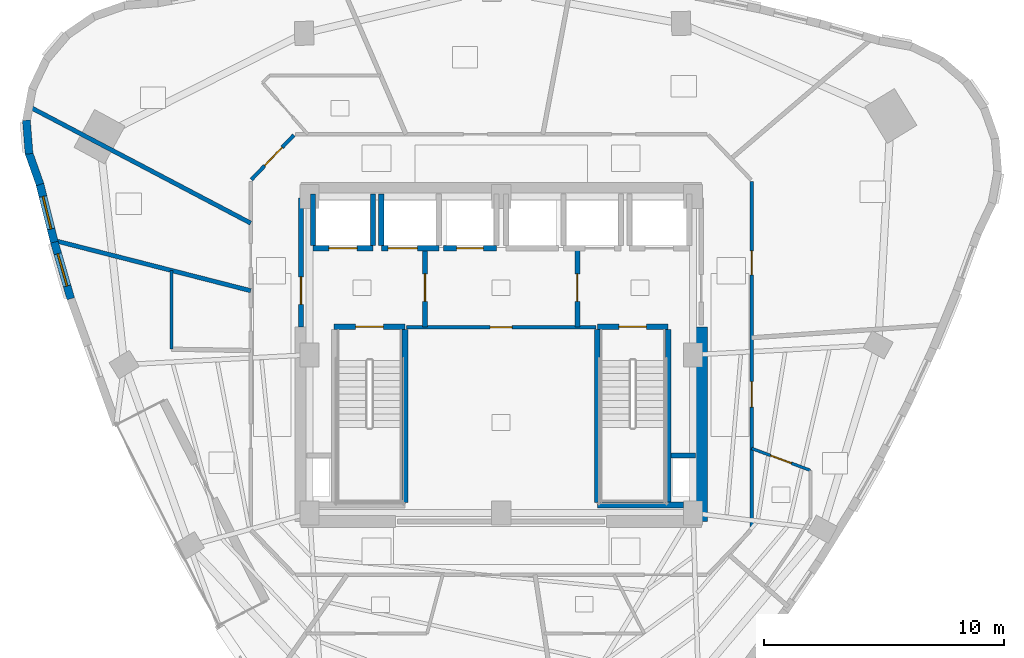
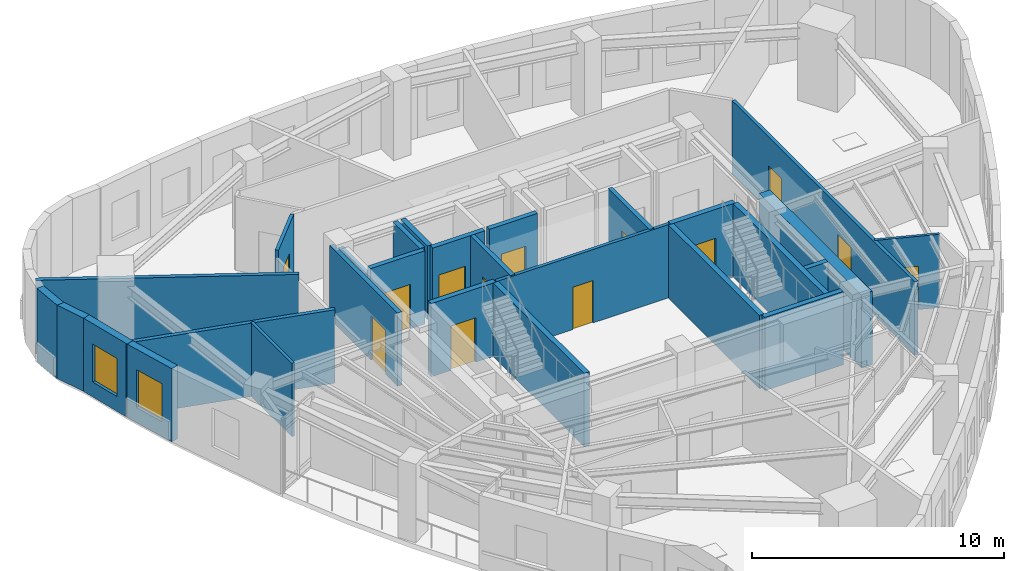
# One storey, part 7 of 12: 28 walls, 13 doors, 2 windows, 15 openings.
"""IFC4 building model written with IfcOpenShell, lengths in metres."""

from ifc_helpers import new_model, si_unit, direction, frame, frame_2d, origin, place, context, subcontext, project, spatial, rectangle, extrude, material, layer, layer_set, type_object, element, fill, save


model = new_model("IFC4")

# Units and contexts
model_context = context("Model", 3, precision=1e-05, world=origin(), true_north=direction((0.0, 1.0)))
body_context = subcontext(model_context, "Body", "Model", "MODEL_VIEW")
ifc_project = project(units=[si_unit("LENGTHUNIT", "METRE"), si_unit("AREAUNIT", "SQUARE_METRE"), si_unit("VOLUMEUNIT", "CUBIC_METRE"), si_unit("PLANEANGLEUNIT", "RADIAN"), si_unit("MASSUNIT", "GRAM", prefix="KILO")], contexts=[model_context])

# Site, building, storey
site_placement = place(None, origin())
site = spatial("IfcSite", under=ifc_project, at=site_placement, CompositionType="ELEMENT")
building_placement = place(site_placement, origin())
building = spatial("IfcBuilding", under=site, at=building_placement, Name="Ndelora Gate Hotel", CompositionType="ELEMENT")
storey_placement = place(building_placement, frame((0.0, 0.0, 201.75)))
storey = spatial("IfcBuildingStorey", under=building, at=storey_placement, Name="L50", CompositionType="ELEMENT", Elevation=201.75)

# Walls
ifc_material_1 = material(Name="Acoustic Double-Stud Gypsum Assembly", Category="gypsum")
ifc_layer_1 = layer(ifc_material_1, 0.179931640625)
ifc_layer_set_1 = layer_set([ifc_layer_1], Name="Acoustic Double-Stud Gypsum Assembly")
wall_type_1 = type_object("IfcWallType", Name="WL-ACOUST-180", PredefinedType="PARTITIONING", material=ifc_layer_set_1)
wall_1_placement = place(storey_placement, frame((-10.449951171875, 5.493408203125, 0.0), z_axis=(0.0, 0.0, 1.0), x_axis=(-0.885159330624, 0.465288039187, 0.0)))
element("IfcWall", 1, at=wall_1_placement, inside=storey, type_object=wall_type_1, Name="L50 Interior Wall IW-3", PredefinedType="PARTITIONING", context=body_context, shape_type="SweptSolid", body=[
    extrude(rectangle(XDim=10.4501953125, YDim=0.179931640625, at=frame_2d((5.22509765625, 0.0))), origin(), (0.0, 0.0, 1.0), 3.550048828125),
])
wall_2_placement = place(storey_placement, frame((-10.449951171875, 2.673583984375, 0.0), z_axis=(0.0, 0.0, 1.0), x_axis=(-0.968789680245, 0.247884157321, 0.0)))
element("IfcWall", 2, at=wall_2_placement, inside=storey, type_object=wall_type_1, Name="L50 Interior Wall IW-3", PredefinedType="PARTITIONING", context=body_context, shape_type="SweptSolid", body=[
    extrude(rectangle(XDim=8.47900390625, YDim=0.179931640625, at=frame_2d((4.239501953125, 0.0))), origin(), (0.0, 0.0, 1.0), 3.550048828125),
])
ifc_material_2 = material(Name="Clay Brick Masonry", Category="masonry")
ifc_layer_2 = layer(ifc_material_2, 0.330078125)
ifc_layer_set_2 = layer_set([ifc_layer_2], Name="Clay Brick Masonry")
wall_type_2 = type_object("IfcWallType", Name="WL-BRICK-330", PredefinedType="SOLIDWALL", material=ifc_layer_set_2)
wall_3_placement = place(storey_placement, frame((-19.700927734375, 8.385986328125, 0.0), z_axis=(0.0, 0.0, 1.0), x_axis=(-0.078566409812, 0.99690888212, 0.0)))
element("IfcWall", 3, at=wall_3_placement, inside=storey, type_object=wall_type_2, Name="L50 Tower Brick Pier-and-Spandrel Wall TWR-7", PredefinedType="SOLIDWALL", context=body_context, shape_type="SweptSolid", body=[
    extrude(rectangle(XDim=1.40771484375, YDim=0.330078125, at=frame_2d((0.703857421875, 0.0))), origin(), (0.0, 0.0, 1.0), 3.550048828125),
])
wall_4_placement = place(storey_placement, frame((-19.241455078125, 7.10791015625, 0.0), z_axis=(0.0, 0.0, 1.0), x_axis=(-0.33376364871, 0.942656791627, 0.0)))
element("IfcWall", 4, at=wall_4_placement, inside=storey, type_object=wall_type_2, Name="L50 Tower Brick Pier-and-Spandrel Wall TWR-8", PredefinedType="SOLIDWALL", context=body_context, shape_type="SweptSolid", body=[
    extrude(rectangle(XDim=1.407470703125, YDim=0.330078125, at=frame_2d((0.70361328125, 0.0))), origin(), (0.0, 0.0, 1.0), 3.550048828125),
])

# Wall, opening, window
wall_5_placement = place(storey_placement, frame((-18.64599609375, 4.701416015625, 0.0), z_axis=(0.0, 0.0, 1.0), x_axis=(-0.241149785718, 0.970487908656, 0.0)))
wall_5 = element("IfcWall", 5, at=wall_5_placement, inside=storey, type_object=wall_type_2, Name="L50 Tower Brick Pier-and-Spandrel Wall TWR-9", PredefinedType="SOLIDWALL", context=body_context, shape_type="SweptSolid", body=[
    extrude(rectangle(XDim=2.529052734375, YDim=0.330078125, at=frame_2d((1.2646484375, 0.0))), origin(), (0.0, 0.0, 1.0), 3.550048828125),
])
opening_1_placement = place(wall_5_placement, frame((0.564453125, 0.0, 0.719970703125)))
opening_1 = element("IfcOpeningElement", 6, at=opening_1_placement, cuts=wall_5, Name="Opening W02", PredefinedType="OPENING", context=body_context, shape_type="SweptSolid", body=[
    extrude(rectangle(XDim=1.39990234375, YDim=1.840087890625, at=frame_2d((0.699951171875, 0.919921875))), frame((0.0, 0.175048828125, 0.0), z_axis=(0.0, -1.0, 0.0), x_axis=(1.0, 0.0, 0.0)), (0.0, 0.0, 1.0), 0.35009765625),
])
ifc_material_3 = material(Name="Insulated Low-E Double Glazing in Bronze Aluminium Frame", Category="aluminium")
window_type = type_object("IfcWindowType", Name="WN-DEEP-1400", PartitioningType="SINGLE_PANEL", PredefinedType="WINDOW", material=ifc_material_3)
window_1_placement = place(opening_1_placement, origin())
window_1 = element("IfcWindow", 7, at=window_1_placement, inside=storey, type_object=window_type, Name="L50 Deep-Set Brick-Pier Window W02", OverallHeight=1.840087890625, OverallWidth=1.39990234375, PartitioningType="SINGLE_PANEL", PredefinedType="WINDOW", context=body_context, shape_type="SweptSolid", body=[
    extrude(rectangle(XDim=1.39990234375, YDim=1.840087890625, at=frame_2d((0.699951171875, 0.919921875))), frame((0.0, 0.030029296875, 0.0), z_axis=(0.0, -1.0, 0.0), x_axis=(1.0, 0.0, 0.0)), (0.0, 0.0, 1.0), 0.06005859375),
])
fill(opening_1, window_1)

wall_6_placement = place(storey_placement, frame((-17.960205078125, 2.340087890625, 0.0), z_axis=(0.0, 0.0, 1.0), x_axis=(-0.278497522166, 0.960436947513, 0.0)))
wall_6 = element("IfcWall", 8, at=wall_6_placement, inside=storey, type_object=wall_type_2, Name="L50 Tower Brick Pier-and-Spandrel Wall TWR-10", PredefinedType="SOLIDWALL", context=body_context, shape_type="SweptSolid", body=[
    extrude(rectangle(XDim=2.509033203125, YDim=0.330078125, at=frame_2d((1.25439453125, 0.0))), origin(), (0.0, 0.0, 1.0), 3.550048828125),
])
opening_2_placement = place(wall_6_placement, frame((0.554443359375, 0.0, 0.719970703125)))
opening_2 = element("IfcOpeningElement", 9, at=opening_2_placement, cuts=wall_6, Name="Opening W02", PredefinedType="OPENING", context=body_context, shape_type="SweptSolid", body=[
    extrude(rectangle(XDim=1.39990234375, YDim=1.840087890625, at=frame_2d((0.699951171875, 0.919921875))), frame((0.0, 0.175048828125, 0.0), z_axis=(0.0, -1.0, 0.0), x_axis=(1.0, 0.0, 0.0)), (0.0, 0.0, 1.0), 0.35009765625),
])
window_2_placement = place(opening_2_placement, origin())
window_2 = element("IfcWindow", 10, at=window_2_placement, inside=storey, type_object=window_type, Name="L50 Deep-Set Brick-Pier Window W02", OverallHeight=1.840087890625, OverallWidth=1.39990234375, PartitioningType="SINGLE_PANEL", PredefinedType="WINDOW", context=body_context, shape_type="SweptSolid", body=[
    extrude(rectangle(XDim=1.39990234375, YDim=1.840087890625, at=frame_2d((0.699951171875, 0.919921875))), frame((0.0, 0.030029296875, 0.0), z_axis=(0.0, -1.0, 0.0), x_axis=(1.0, 0.0, 0.0)), (0.0, 0.0, 1.0), 0.06005859375),
])
fill(opening_2, window_2)

# Wall
ifc_material_4 = material(Name="Concrete C50/60", Category="concrete")
ifc_layer_3 = layer(ifc_material_4, 0.5)
ifc_layer_set_3 = layer_set([ifc_layer_3], Name="Concrete C50/60")
wall_type_3 = type_object("IfcWallType", Name="WL-CORE-500", PredefinedType="SHEAR", material=ifc_layer_set_3)
wall_7_placement = place(storey_placement, frame((8.35009765625, -6.949951171875, 0.0), z_axis=(0.0, 0.0, 1.0), x_axis=(0.0, 1.0, 0.0)))
element("IfcWall", 11, at=wall_7_placement, inside=storey, type_object=wall_type_3, Name="L50 Core Shear Wall E", PredefinedType="SHEAR", context=body_context, shape_type="SweptSolid", body=[
    extrude(rectangle(XDim=8.099853515625, YDim=0.5, at=frame_2d((4.0498046875, 0.0))), origin(), (0.0, 0.0, 1.0), 3.550048828125),
])

# Wall, opening, door
ifc_material_5 = material(Name="Concrete C40/50", Category="concrete")
ifc_layer_4 = layer(ifc_material_5, 0.199951171875)
ifc_layer_set_4 = layer_set([ifc_layer_4], Name="Concrete C40/50")
wall_type_4 = type_object("IfcWallType", Name="WL-FIRE-200", PredefinedType="PARTITIONING", material=ifc_layer_set_4)
wall_8_placement = place(storey_placement, frame((-3.179931640625, 1.14990234375, 0.0), z_axis=(0.0, 0.0, 1.0), x_axis=(0.0, 1.0, 0.0)))
wall_8 = element("IfcWall", 12, at=wall_8_placement, inside=storey, type_object=wall_type_4, Name="L50 Interior Wall IW-2", PredefinedType="PARTITIONING", context=body_context, shape_type="SweptSolid", body=[
    extrude(rectangle(XDim=3.300048828125, YDim=0.199951171875, at=frame_2d((1.64990234375, 0.0))), origin(), (0.0, 0.0, 1.0), 3.550048828125),
])
opening_3_placement = place(wall_8_placement, frame((1.080078125, 0.0, 0.0)))
opening_3 = element("IfcOpeningElement", 13, at=opening_3_placement, cuts=wall_8, Name="Opening FD1", PredefinedType="OPENING", context=body_context, shape_type="SweptSolid", body=[
    extrude(rectangle(XDim=1.14990234375, YDim=2.14990234375, at=frame_2d((0.574951171875, 1.074951171875))), frame((0.0, 0.10986328125, 0.0), z_axis=(0.0, -1.0, 0.0), x_axis=(1.0, 0.0, 0.0)), (0.0, 0.0, 1.0), 0.219970703125),
])
ifc_material_6 = material(Name="Fire-Rated Timber-Veneer Steel Core", Category="steel")
door_type_1 = type_object("IfcDoorType", Name="DR-FD60", OperationType="SINGLE_SWING_LEFT", PredefinedType="DOOR", material=ifc_material_6)
door_1_placement = place(opening_3_placement, origin())
door_1 = element("IfcDoor", 14, at=door_1_placement, inside=storey, type_object=door_type_1, Name="L50 Firefighting Lobby West Door", OperationType="SINGLE_SWING_RIGHT", OverallHeight=2.14990234375, OverallWidth=1.14990234375, PredefinedType="DOOR", context=body_context, shape_type="SweptSolid", body=[
    extrude(rectangle(XDim=1.14990234375, YDim=2.14990234375, at=frame_2d((0.574951171875, 1.074951171875))), frame((0.0, 0.02490234375, 0.0), z_axis=(0.0, -1.0, 0.0), x_axis=(1.0, 0.0, 0.0)), (0.0, 0.0, 1.0), 0.050048828125),
])
fill(opening_3, door_1)

wall_9_placement = place(storey_placement, frame((3.179931640625, 1.14990234375, 0.0), z_axis=(0.0, 0.0, 1.0), x_axis=(0.0, 1.0, 0.0)))
wall_9 = element("IfcWall", 15, at=wall_9_placement, inside=storey, type_object=wall_type_4, Name="L50 Interior Wall IW-2", PredefinedType="PARTITIONING", context=body_context, shape_type="SweptSolid", body=[
    extrude(rectangle(XDim=3.300048828125, YDim=0.199951171875, at=frame_2d((1.64990234375, 0.0))), origin(), (0.0, 0.0, 1.0), 3.550048828125),
])
opening_4_placement = place(wall_9_placement, frame((1.080078125, 0.0, 0.0)))
opening_4 = element("IfcOpeningElement", 16, at=opening_4_placement, cuts=wall_9, Name="Opening FD1", PredefinedType="OPENING", context=body_context, shape_type="SweptSolid", body=[
    extrude(rectangle(XDim=1.14990234375, YDim=2.14990234375, at=frame_2d((0.574951171875, 1.074951171875))), frame((0.0, 0.10986328125, 0.0), z_axis=(0.0, -1.0, 0.0), x_axis=(1.0, 0.0, 0.0)), (0.0, 0.0, 1.0), 0.219970703125),
])
door_2_placement = place(opening_4_placement, origin())
door_2 = element("IfcDoor", 17, at=door_2_placement, inside=storey, type_object=door_type_1, Name="L50 Firefighting Lobby East Door", OperationType="SINGLE_SWING_LEFT", OverallHeight=2.14990234375, OverallWidth=1.14990234375, PredefinedType="DOOR", context=body_context, shape_type="SweptSolid", body=[
    extrude(rectangle(XDim=1.14990234375, YDim=2.14990234375, at=frame_2d((0.574951171875, 1.074951171875))), frame((0.0, 0.02490234375, 0.0), z_axis=(0.0, -1.0, 0.0), x_axis=(1.0, 0.0, 0.0)), (0.0, 0.0, 1.0), 0.050048828125),
])
fill(opening_4, door_2)

wall_10_placement = place(storey_placement, frame((-8.35009765625, 1.14990234375, 0.0), z_axis=(0.0, 0.0, 1.0), x_axis=(0.0, 1.0, 0.0)))
wall_10 = element("IfcWall", 18, at=wall_10_placement, inside=storey, type_object=wall_type_4, Name="L50 Interior Wall IW-2", PredefinedType="PARTITIONING", context=body_context, shape_type="SweptSolid", body=[
    extrude(rectangle(XDim=5.400146484375, YDim=0.199951171875, at=frame_2d((2.7001953125, 0.0))), origin(), (0.0, 0.0, 1.0), 3.550048828125),
])
opening_5_placement = place(wall_10_placement, frame((0.949951171875, 0.0, 0.0)))
opening_5 = element("IfcOpeningElement", 19, at=opening_5_placement, cuts=wall_10, Name="Opening FD1", PredefinedType="OPENING", context=body_context, shape_type="SweptSolid", body=[
    extrude(rectangle(XDim=1.14990234375, YDim=2.14990234375, at=frame_2d((0.574951171875, 1.074951171875))), frame((0.0, 0.10986328125, 0.0), z_axis=(0.0, -1.0, 0.0), x_axis=(1.0, 0.0, 0.0)), (0.0, 0.0, 1.0), 0.219970703125),
])
door_3_placement = place(opening_5_placement, origin())
door_3 = element("IfcDoor", 20, at=door_3_placement, inside=storey, type_object=door_type_1, Name="L50 Firefighting Lobby West Corridor Door", OperationType="SINGLE_SWING_LEFT", OverallHeight=2.14990234375, OverallWidth=1.14990234375, PredefinedType="DOOR", context=body_context, shape_type="SweptSolid", body=[
    extrude(rectangle(XDim=1.14990234375, YDim=2.14990234375, at=frame_2d((0.574951171875, 1.074951171875))), frame((0.0, 0.02490234375, 0.0), z_axis=(0.0, -1.0, 0.0), x_axis=(1.0, 0.0, 0.0)), (0.0, 0.0, 1.0), 0.050048828125),
])
fill(opening_5, door_3)

ifc_material_7 = material(Name="Fire-Rated Gypsum Stud Partition", Category="gypsum")
ifc_layer_5 = layer(ifc_material_7, 0.14990234375)
ifc_layer_set_5 = layer_set([ifc_layer_5], Name="Fire-Rated Gypsum Stud Partition")
wall_type_5 = type_object("IfcWallType", Name="WL-PART-150", PredefinedType="PARTITIONING", material=ifc_layer_set_5)
wall_11_placement = place(storey_placement, frame((3.949951171875, 1.14990234375, 0.0), z_axis=(0.0, 0.0, 1.0), x_axis=(-1.0, 0.0, 0.0)))
wall_11 = element("IfcWall", 21, at=wall_11_placement, inside=storey, type_object=wall_type_5, Name="L50 Interior Wall IW-5", PredefinedType="PARTITIONING", context=body_context, shape_type="SweptSolid", body=[
    extrude(rectangle(XDim=7.89990234375, YDim=0.14990234375, at=frame_2d((3.949951171875, 0.0))), origin(), (0.0, 0.0, 1.0), 3.550048828125),
])
opening_6_placement = place(wall_11_placement, frame((3.489990234375, 0.0, 0.0)))
opening_6 = element("IfcOpeningElement", 22, at=opening_6_placement, cuts=wall_11, Name="Opening D04", PredefinedType="OPENING", context=body_context, shape_type="SweptSolid", body=[
    extrude(rectangle(XDim=0.919921875, YDim=2.050048828125, at=frame_2d((0.4599609375, 1.02490234375))), frame((0.0, 0.0849609375, 0.0), z_axis=(0.0, -1.0, 0.0), x_axis=(1.0, 0.0, 0.0)), (0.0, 0.0, 1.0), 0.169921875),
])
ifc_material_8 = material(Name="Painted Steel Core Service Door", Category="steel")
door_type_2 = type_object("IfcDoorType", Name="DR-SER-920", OperationType="SINGLE_SWING_LEFT", PredefinedType="DOOR", material=ifc_material_8)
door_4_placement = place(opening_6_placement, origin())
door_4 = element("IfcDoor", 23, at=door_4_placement, inside=storey, type_object=door_type_2, Name="L50 Core Electrical and Linen Service Store Door", OperationType="SINGLE_SWING_LEFT", OverallHeight=2.050048828125, OverallWidth=0.919921875, PredefinedType="DOOR", context=body_context, shape_type="SweptSolid", body=[
    extrude(rectangle(XDim=0.919921875, YDim=2.050048828125, at=frame_2d((0.4599609375, 1.02490234375))), frame((0.0, 0.02490234375, 0.0), z_axis=(0.0, -1.0, 0.0), x_axis=(1.0, 0.0, 0.0)), (0.0, 0.0, 1.0), 0.050048828125),
])
fill(opening_6, door_4)

# Wall, openings, doors
wall_12_placement = place(storey_placement, frame((10.449951171875, 7.239990234375, 0.0), z_axis=(0.0, 0.0, 1.0), x_axis=(0.0, -1.0, 0.0)))
wall_12 = element("IfcWall", 24, at=wall_12_placement, inside=storey, type_object=wall_type_5, Name="L50 Interior Wall IW-5", PredefinedType="PARTITIONING", context=body_context, shape_type="SweptSolid", body=[
    extrude(rectangle(XDim=14.47998046875, YDim=0.14990234375, at=frame_2d((7.239990234375, 0.0))), origin(), (0.0, 0.0, 1.0), 3.550048828125),
])
opening_7_placement = place(wall_12_placement, frame((8.36181640625, 0.0, 0.0)))
opening_7 = element("IfcOpeningElement", 25, at=opening_7_placement, cuts=wall_12, Name="Opening D07", PredefinedType="OPENING", context=body_context, shape_type="SweptSolid", body=[
    extrude(rectangle(XDim=1.06005859375, YDim=2.14990234375, at=frame_2d((0.530029296875, 1.074951171875))), frame((0.0, 0.0849609375, 0.0), z_axis=(0.0, -1.0, 0.0), x_axis=(1.0, 0.0, 0.0)), (0.0, 0.0, 1.0), 0.169921875),
])
opening_8_placement = place(wall_12_placement, frame((2.904541015625, 0.0, 0.0)))
opening_8 = element("IfcOpeningElement", 26, at=opening_8_placement, cuts=wall_12, Name="Opening D01", PredefinedType="OPENING", context=body_context, shape_type="SweptSolid", body=[
    extrude(rectangle(XDim=1.0, YDim=2.14990234375, at=frame_2d((0.5, 1.074951171875))), frame((0.0, 0.0849609375, 0.0), z_axis=(0.0, -1.0, 0.0), x_axis=(1.0, 0.0, 0.0)), (0.0, 0.0, 1.0), 0.169921875),
])
ifc_material_9 = material(Name="Acoustic Hardwood Guest Entrance Door", Category="wood")
door_type_3 = type_object("IfcDoorType", Name="DR-COR-1000", OperationType="SINGLE_SWING_LEFT", PredefinedType="DOOR", material=ifc_material_9)
door_5_placement = place(opening_8_placement, origin())
door_5 = element("IfcDoor", 27, at=door_5_placement, inside=storey, type_object=door_type_3, Name="L50 Summit Boardroom Office Entrance Door", OperationType="SINGLE_SWING_RIGHT", OverallHeight=2.14990234375, OverallWidth=1.0, PredefinedType="DOOR", context=body_context, shape_type="SweptSolid", body=[
    extrude(rectangle(XDim=1.0, YDim=2.14990234375, at=frame_2d((0.5, 1.074951171875))), frame((0.0, 0.02490234375, 0.0), z_axis=(0.0, -1.0, 0.0), x_axis=(1.0, 0.0, 0.0)), (0.0, 0.0, 1.0), 0.050048828125),
])
fill(opening_8, door_5)
ifc_material_10 = material(Name="Diplomatic Suite Acoustic Entrance Door", Category="wood")
door_type_4 = type_object("IfcDoorType", Name="DR-SUITE-1060", OperationType="SINGLE_SWING_LEFT", PredefinedType="DOOR", material=ifc_material_10)
door_6_placement = place(opening_7_placement, origin())
door_6 = element("IfcDoor", 28, at=door_6_placement, inside=storey, type_object=door_type_4, Name="L50 Diplomatic Sky Suite 5303 Entrance Door", OperationType="SINGLE_SWING_RIGHT", OverallHeight=2.14990234375, OverallWidth=1.06005859375, PredefinedType="DOOR", context=body_context, shape_type="SweptSolid", body=[
    extrude(rectangle(XDim=1.06005859375, YDim=2.14990234375, at=frame_2d((0.530029296875, 1.074951171875))), frame((0.0, 0.02490234375, 0.0), z_axis=(0.0, -1.0, 0.0), x_axis=(1.0, 0.0, 0.0)), (0.0, 0.0, 1.0), 0.050048828125),
])
fill(opening_7, door_6)

# Wall, opening, door
wall_13_placement = place(storey_placement, frame((-10.42236328125, 7.30908203125, 0.0), z_axis=(0.0, 0.0, 1.0), x_axis=(0.689960858356, 0.723846678473, 0.0)))
wall_13 = element("IfcWall", 29, at=wall_13_placement, inside=storey, type_object=wall_type_5, Name="L50 Interior Wall IW-5", PredefinedType="PARTITIONING", context=body_context, shape_type="SweptSolid", body=[
    extrude(rectangle(XDim=2.572021484375, YDim=0.14990234375, at=frame_2d((1.2861328125, 0.0))), origin(), (0.0, 0.0, 1.0), 3.550048828125),
])
opening_9_placement = place(wall_13_placement, frame((0.796142578125, 0.0, 0.0)))
opening_9 = element("IfcOpeningElement", 30, at=opening_9_placement, cuts=wall_13, Name="Opening D07", PredefinedType="OPENING", context=body_context, shape_type="SweptSolid", body=[
    extrude(rectangle(XDim=1.06005859375, YDim=2.14990234375, at=frame_2d((0.530029296875, 1.074951171875))), frame((0.0, 0.0849609375, 0.0), z_axis=(0.0, -1.0, 0.0), x_axis=(1.0, 0.0, 0.0)), (0.0, 0.0, 1.0), 0.169921875),
])
door_7_placement = place(opening_9_placement, origin())
door_7 = element("IfcDoor", 31, at=door_7_placement, inside=storey, type_object=door_type_4, Name="L50 Altitude King Junior Suite 5304 Entrance Door", OperationType="SINGLE_SWING_LEFT", OverallHeight=2.14990234375, OverallWidth=1.06005859375, PredefinedType="DOOR", context=body_context, shape_type="SweptSolid", body=[
    extrude(rectangle(XDim=1.06005859375, YDim=2.14990234375, at=frame_2d((0.530029296875, 1.074951171875))), frame((0.0, 0.02490234375, 0.0), z_axis=(0.0, -1.0, 0.0), x_axis=(1.0, 0.0, 0.0)), (0.0, 0.0, 1.0), 0.050048828125),
])
fill(opening_9, door_7)

# Wall
ifc_layer_6 = layer(ifc_material_5, 0.219970703125)
ifc_layer_set_6 = layer_set([ifc_layer_6], Name="Concrete C40/50")
wall_type_6 = type_object("IfcWallType", Name="WL-SHAFT-220", PredefinedType="PARTITIONING", material=ifc_layer_set_6)
wall_14_placement = place(storey_placement, frame((7.090087890625, -4.199951171875, 0.0), z_axis=(0.0, 0.0, 1.0), x_axis=(1.0, 0.0, 0.0)))
element("IfcWall", 32, at=wall_14_placement, inside=storey, type_object=wall_type_6, Name="L50 Interior Wall IW-1", PredefinedType="PARTITIONING", context=body_context, shape_type="SweptSolid", body=[
    extrude(rectangle(XDim=1.010009765625, YDim=0.219970703125, at=frame_2d((0.5048828125, 0.0))), origin(), (0.0, 0.0, 1.0), 3.550048828125),
])

# Wall, opening, door
wall_15_placement = place(storey_placement, frame((-7.85009765625, 4.449951171875, 0.0), z_axis=(0.0, 0.0, 1.0), x_axis=(1.0, 0.0, 0.0)))
wall_15 = element("IfcWall", 33, at=wall_15_placement, inside=storey, type_object=wall_type_6, Name="L50 Interior Wall IW-1", PredefinedType="PARTITIONING", context=body_context, shape_type="SweptSolid", body=[
    extrude(rectangle(XDim=2.5, YDim=0.219970703125, at=frame_2d((1.25, 0.0))), origin(), (0.0, 0.0, 1.0), 3.550048828125),
])
opening_10_placement = place(wall_15_placement, frame((0.659912109375, 0.0, 0.0)))
opening_10 = element("IfcOpeningElement", 34, at=opening_10_placement, cuts=wall_15, Name="Opening LD5", PredefinedType="OPENING", context=body_context, shape_type="SweptSolid", body=[
    extrude(rectangle(XDim=1.179931640625, YDim=2.14990234375, at=frame_2d((0.58984375, 1.074951171875))), frame((0.0, 0.1201171875, 0.0), z_axis=(0.0, -1.0, 0.0), x_axis=(1.0, 0.0, 0.0)), (0.0, 0.0, 1.0), 0.239990234375),
])
ifc_material_11 = material(Name="Firefighting Lift Stainless Sliding Landing Door", Category="metal")
door_type_5 = type_object("IfcDoorType", Name="DR-LD5", OperationType="DOUBLE_DOOR_SLIDING", PredefinedType="DOOR", material=ifc_material_11)
door_8_placement = place(opening_10_placement, origin())
door_8 = element("IfcDoor", 35, at=door_8_placement, inside=storey, type_object=door_type_5, Name="L50 Lift Landing Sliding Door FFL1", OperationType="DOUBLE_DOOR_SLIDING", OverallHeight=2.14990234375, OverallWidth=1.179931640625, PredefinedType="DOOR", context=body_context, shape_type="SweptSolid", body=[
    extrude(rectangle(XDim=1.179931640625, YDim=2.14990234375, at=frame_2d((0.58984375, 1.074951171875))), frame((0.0, 0.02490234375, 0.0), z_axis=(0.0, -1.0, 0.0), x_axis=(1.0, 0.0, 0.0)), (0.0, 0.0, 1.0), 0.050048828125),
])
fill(opening_10, door_8)

# Walls
wall_16_placement = place(storey_placement, frame((-7.85009765625, 4.570068359375, 0.0), z_axis=(0.0, 0.0, 1.0), x_axis=(0.0, 1.0, 0.0)))
element("IfcWall", 36, at=wall_16_placement, inside=storey, type_object=wall_type_6, Name="L50 Interior Wall IW-1", PredefinedType="PARTITIONING", context=body_context, shape_type="SweptSolid", body=[
    extrude(rectangle(XDim=2.1298828125, YDim=0.219970703125, at=frame_2d((1.06494140625, 0.0))), origin(), (0.0, 0.0, 1.0), 3.179931640625),
])
wall_17_placement = place(storey_placement, frame((-5.35009765625, 4.570068359375, 0.0), z_axis=(0.0, 0.0, 1.0), x_axis=(0.0, 1.0, 0.0)))
element("IfcWall", 37, at=wall_17_placement, inside=storey, type_object=wall_type_6, Name="L50 Interior Wall IW-1", PredefinedType="PARTITIONING", context=body_context, shape_type="SweptSolid", body=[
    extrude(rectangle(XDim=2.1298828125, YDim=0.219970703125, at=frame_2d((1.06494140625, 0.0))), origin(), (0.0, 0.0, 1.0), 3.550048828125),
])

# Wall, opening, door
wall_18_placement = place(storey_placement, frame((-5.0, 4.449951171875, 0.0), z_axis=(0.0, 0.0, 1.0), x_axis=(1.0, 0.0, 0.0)))
wall_18 = element("IfcWall", 38, at=wall_18_placement, inside=storey, type_object=wall_type_6, Name="L50 Interior Wall IW-1", PredefinedType="PARTITIONING", context=body_context, shape_type="SweptSolid", body=[
    extrude(rectangle(XDim=2.39990234375, YDim=0.219970703125, at=frame_2d((1.199951171875, 0.0))), origin(), (0.0, 0.0, 1.0), 3.550048828125),
])
opening_11_placement = place(wall_18_placement, frame((0.280029296875, 0.0, 0.0)))
opening_11 = element("IfcOpeningElement", 39, at=opening_11_placement, cuts=wall_18, Name="Opening LD6", PredefinedType="OPENING", context=body_context, shape_type="SweptSolid", body=[
    extrude(rectangle(XDim=1.219970703125, YDim=2.14990234375, at=frame_2d((0.60986328125, 1.074951171875))), frame((0.0, 0.1201171875, 0.0), z_axis=(0.0, -1.0, 0.0), x_axis=(1.0, 0.0, 0.0)), (0.0, 0.0, 1.0), 0.239990234375),
])
ifc_material_12 = material(Name="Heavy-Duty Service Lift Sliding Landing Door", Category="wood")
door_type_6 = type_object("IfcDoorType", Name="DR-LD6", OperationType="DOUBLE_DOOR_SLIDING", PredefinedType="DOOR", material=ifc_material_12)
door_9_placement = place(opening_11_placement, origin())
door_9 = element("IfcDoor", 40, at=door_9_placement, inside=storey, type_object=door_type_6, Name="L50 Lift Landing Sliding Door SVL1", OperationType="DOUBLE_DOOR_SLIDING", OverallHeight=2.14990234375, OverallWidth=1.219970703125, PredefinedType="DOOR", context=body_context, shape_type="SweptSolid", body=[
    extrude(rectangle(XDim=1.219970703125, YDim=2.14990234375, at=frame_2d((0.60986328125, 1.074951171875))), frame((0.0, 0.02490234375, 0.0), z_axis=(0.0, -1.0, 0.0), x_axis=(1.0, 0.0, 0.0)), (0.0, 0.0, 1.0), 0.050048828125),
])
fill(opening_11, door_9)

# Wall
wall_19_placement = place(storey_placement, frame((-5.0, 4.570068359375, 0.0), z_axis=(0.0, 0.0, 1.0), x_axis=(0.0, 1.0, 0.0)))
element("IfcWall", 41, at=wall_19_placement, inside=storey, type_object=wall_type_6, Name="L50 Interior Wall IW-1", PredefinedType="PARTITIONING", context=body_context, shape_type="SweptSolid", body=[
    extrude(rectangle(XDim=2.1298828125, YDim=0.219970703125, at=frame_2d((1.06494140625, 0.0))), origin(), (0.0, 0.0, 1.0), 3.550048828125),
])

# Wall, opening, door
wall_20_placement = place(storey_placement, frame((-2.39990234375, 4.449951171875, 0.0), z_axis=(0.0, 0.0, 1.0), x_axis=(1.0, 0.0, 0.0)))
wall_20 = element("IfcWall", 42, at=wall_20_placement, inside=storey, type_object=wall_type_6, Name="L50 Interior Wall IW-1", PredefinedType="PARTITIONING", context=body_context, shape_type="SweptSolid", body=[
    extrude(rectangle(XDim=2.199951171875, YDim=0.219970703125, at=frame_2d((1.10009765625, 0.0))), origin(), (0.0, 0.0, 1.0), 3.550048828125),
])
opening_12_placement = place(wall_20_placement, frame((0.5400390625, 0.0, 0.0)))
opening_12 = element("IfcOpeningElement", 43, at=opening_12_placement, cuts=wall_20, Name="Opening LD3", PredefinedType="OPENING", context=body_context, shape_type="SweptSolid", body=[
    extrude(rectangle(XDim=1.1201171875, YDim=2.14990234375, at=frame_2d((0.56005859375, 1.074951171875))), frame((0.0, 0.1201171875, 0.0), z_axis=(0.0, -1.0, 0.0), x_axis=(1.0, 0.0, 0.0)), (0.0, 0.0, 1.0), 0.239990234375),
])
ifc_material_13 = material(Name="Brushed Bronze Stainless Lift Landing Door", Category="metal")
door_type_7 = type_object("IfcDoorType", Name="DR-LD3", OperationType="DOUBLE_DOOR_SLIDING", PredefinedType="DOOR", material=ifc_material_13)
door_10_placement = place(opening_12_placement, origin())
door_10 = element("IfcDoor", 44, at=door_10_placement, inside=storey, type_object=door_type_7, Name="L50 Lift Landing Sliding Door P3A", OperationType="DOUBLE_DOOR_SLIDING", OverallHeight=2.14990234375, OverallWidth=1.1201171875, PredefinedType="DOOR", context=body_context, shape_type="SweptSolid", body=[
    extrude(rectangle(XDim=1.1201171875, YDim=2.14990234375, at=frame_2d((0.56005859375, 1.074951171875))), frame((0.0, 0.02490234375, 0.0), z_axis=(0.0, -1.0, 0.0), x_axis=(1.0, 0.0, 0.0)), (0.0, 0.0, 1.0), 0.050048828125),
])
fill(opening_12, door_10)

# Wall
ifc_layer_7 = layer(ifc_material_4, 0.239990234375)
ifc_layer_set_7 = layer_set([ifc_layer_7], Name="Concrete C50/60")
wall_type_7 = type_object("IfcWallType", Name="WL-STAIR-240", PredefinedType="SHEAR", material=ifc_layer_set_7)
wall_21_placement = place(storey_placement, frame((-4.010009765625, -6.159912109375, 0.0), z_axis=(0.0, 0.0, 1.0), x_axis=(0.0, 1.0, 0.0)))
element("IfcWall", 45, at=wall_21_placement, inside=storey, type_object=wall_type_7, Name="L50 Stair Core Shear Wall SW-ST", PredefinedType="SHEAR", context=body_context, shape_type="SweptSolid", body=[
    extrude(rectangle(XDim=7.219970703125, YDim=0.239990234375, at=frame_2d((3.60986328125, 0.0))), origin(), (0.0, 0.0, 1.0), 3.550048828125),
])

# Wall, opening, door
wall_22_placement = place(storey_placement, frame((-6.969970703125, 1.169921875, 0.0), z_axis=(0.0, 0.0, 1.0), x_axis=(1.0, 0.0, 0.0)))
wall_22 = element("IfcWall", 46, at=wall_22_placement, inside=storey, type_object=wall_type_7, Name="L50 Stair Core Shear Wall SW-ST", PredefinedType="SHEAR", context=body_context, shape_type="SweptSolid", body=[
    extrude(rectangle(XDim=2.9599609375, YDim=0.239990234375, at=frame_2d((1.47998046875, 0.0))), origin(), (0.0, 0.0, 1.0), 3.550048828125),
])
opening_13_placement = place(wall_22_placement, frame((0.89990234375, 0.0, 0.0)))
opening_13 = element("IfcOpeningElement", 47, at=opening_13_placement, cuts=wall_22, Name="Opening FD1", PredefinedType="OPENING", context=body_context, shape_type="SweptSolid", body=[
    extrude(rectangle(XDim=1.14990234375, YDim=2.14990234375, at=frame_2d((0.574951171875, 1.074951171875))), frame((0.0, 0.1298828125, 0.0), z_axis=(0.0, -1.0, 0.0), x_axis=(1.0, 0.0, 0.0)), (0.0, 0.0, 1.0), 0.260009765625),
])
door_11_placement = place(opening_13_placement, origin())
door_11 = element("IfcDoor", 48, at=door_11_placement, inside=storey, type_object=door_type_1, Name="L50 Exit Stair ST4 Door", OperationType="SINGLE_SWING_LEFT", OverallHeight=2.14990234375, OverallWidth=1.14990234375, PredefinedType="DOOR", context=body_context, shape_type="SweptSolid", body=[
    extrude(rectangle(XDim=1.14990234375, YDim=2.14990234375, at=frame_2d((0.574951171875, 1.074951171875))), frame((0.0, 0.02490234375, 0.0), z_axis=(0.0, -1.0, 0.0), x_axis=(1.0, 0.0, 0.0)), (0.0, 0.0, 1.0), 0.050048828125),
])
fill(opening_13, door_11)

# Walls
for number, where, z_axis, x_axis, name in (
    (49, (4.010009765625, -6.159912109375, 0.0), (0.0, 0.0, 1.0), (0.0, 1.0, 0.0), "L50 Stair Core Shear Wall SW-ST"),
    (50, (6.969970703125, -6.159912109375, 0.0), (0.0, 0.0, 1.0), (0.0, 1.0, 0.0), "L50 Stair Core Shear Wall SW-ST"),
):
    element("IfcWall", number, at=place(storey_placement, frame(where, z_axis=z_axis, x_axis=x_axis)), inside=storey, type_object=wall_type_7, Name=name, PredefinedType="SHEAR", context=body_context, shape_type="SweptSolid", body=[
        extrude(rectangle(XDim=7.219970703125, YDim=0.239990234375, at=frame_2d((3.60986328125, 0.0))), origin(), (0.0, 0.0, 1.0), 3.550048828125),
    ])
wall_23_placement = place(storey_placement, frame((4.010009765625, -6.27001953125, 0.0), z_axis=(0.0, 0.0, 1.0), x_axis=(1.0, 0.0, 0.0)))
element("IfcWall", 51, at=wall_23_placement, inside=storey, type_object=wall_type_7, Name="L50 Stair Core Shear Wall SW-ST", PredefinedType="SHEAR", context=body_context, shape_type="SweptSolid", body=[
    extrude(rectangle(XDim=3.590087890625, YDim=0.239990234375, at=frame_2d((1.794921875, 0.0))), origin(), (0.0, 0.0, 1.0), 3.550048828125),
])

# Wall, opening, door
wall_24_placement = place(storey_placement, frame((4.010009765625, 1.169921875, 0.0), z_axis=(0.0, 0.0, 1.0), x_axis=(1.0, 0.0, 0.0)))
wall_24 = element("IfcWall", 52, at=wall_24_placement, inside=storey, type_object=wall_type_7, Name="L50 Stair Core Shear Wall SW-ST", PredefinedType="SHEAR", context=body_context, shape_type="SweptSolid", body=[
    extrude(rectangle(XDim=2.9599609375, YDim=0.239990234375, at=frame_2d((1.47998046875, 0.0))), origin(), (0.0, 0.0, 1.0), 3.550048828125),
])
opening_14_placement = place(wall_24_placement, frame((0.89990234375, 0.0, 0.0)))
opening_14 = element("IfcOpeningElement", 53, at=opening_14_placement, cuts=wall_24, Name="Opening FD1", PredefinedType="OPENING", context=body_context, shape_type="SweptSolid", body=[
    extrude(rectangle(XDim=1.14990234375, YDim=2.14990234375, at=frame_2d((0.574951171875, 1.074951171875))), frame((0.0, 0.1298828125, 0.0), z_axis=(0.0, -1.0, 0.0), x_axis=(1.0, 0.0, 0.0)), (0.0, 0.0, 1.0), 0.260009765625),
])
door_12_placement = place(opening_14_placement, origin())
door_12 = element("IfcDoor", 54, at=door_12_placement, inside=storey, type_object=door_type_1, Name="L50 Exit Stair ST5 Door", OperationType="SINGLE_SWING_RIGHT", OverallHeight=2.14990234375, OverallWidth=1.14990234375, PredefinedType="DOOR", context=body_context, shape_type="SweptSolid", body=[
    extrude(rectangle(XDim=1.14990234375, YDim=2.14990234375, at=frame_2d((0.574951171875, 1.074951171875))), frame((0.0, 0.02490234375, 0.0), z_axis=(0.0, -1.0, 0.0), x_axis=(1.0, 0.0, 0.0)), (0.0, 0.0, 1.0), 0.050048828125),
])
fill(opening_14, door_12)

ifc_material_14 = material(Name="Moisture-Resistant Bathroom Tile Partition", Category="gypsum")
ifc_layer_8 = layer(ifc_material_14, 0.1201171875)
ifc_layer_set_8 = layer_set([ifc_layer_8], Name="Moisture-Resistant Bathroom Tile Partition")
wall_type_8 = type_object("IfcWallType", Name="WL-WET-120", PredefinedType="PARTITIONING", material=ifc_layer_set_8)
wall_25_placement = place(storey_placement, frame((10.449951171875, -3.905517578125, 0.0), z_axis=(0.0, 0.0, 1.0), x_axis=(0.936731357681, -0.350049087325, 0.0)))
wall_25 = element("IfcWall", 55, at=wall_25_placement, inside=storey, type_object=wall_type_8, Name="L50 Interior Wall IW-7", PredefinedType="PARTITIONING", context=body_context, shape_type="SweptSolid", body=[
    extrude(rectangle(XDim=2.615478515625, YDim=0.1201171875, at=frame_2d((1.3076171875, 0.0))), origin(), (0.0, 0.0, 1.0), 3.550048828125),
])
opening_15_placement = place(wall_25_placement, frame((0.84765625, 0.0, 0.0)))
opening_15 = element("IfcOpeningElement", 56, at=opening_15_placement, cuts=wall_25, Name="Opening D03", PredefinedType="OPENING", context=body_context, shape_type="SweptSolid", body=[
    extrude(rectangle(XDim=0.919921875, YDim=2.10009765625, at=frame_2d((0.4599609375, 1.050048828125))), frame((0.0, 0.070068359375, 0.0), z_axis=(0.0, -1.0, 0.0), x_axis=(1.0, 0.0, 0.0)), (0.0, 0.0, 1.0), 0.14013671875),
])
ifc_material_15 = material(Name="Moisture-Resistant Hardwood En-Suite Door", Category="wood")
door_type_8 = type_object("IfcDoorType", Name="DR-BATH-920", OperationType="SINGLE_SWING_LEFT", PredefinedType="DOOR", material=ifc_material_15)
door_13_placement = place(opening_15_placement, origin())
door_13 = element("IfcDoor", 57, at=door_13_placement, inside=storey, type_object=door_type_8, Name="L50 En-suite Bathroom 5303 Door", OperationType="SINGLE_SWING_RIGHT", OverallHeight=2.10009765625, OverallWidth=0.919921875, PredefinedType="DOOR", context=body_context, shape_type="SweptSolid", body=[
    extrude(rectangle(XDim=0.919921875, YDim=2.10009765625, at=frame_2d((0.4599609375, 1.050048828125))), frame((0.0, 0.02490234375, 0.0), z_axis=(0.0, -1.0, 0.0), x_axis=(1.0, 0.0, 0.0)), (0.0, 0.0, 1.0), 0.050048828125),
])
fill(opening_15, door_13)

# Wall
ifc_material_16 = material(Name="Moisture-Resistant Fire-Rated Tile Partition", Category="gypsum")
ifc_layer_9 = layer(ifc_material_16, 0.1298828125)
ifc_layer_set_9 = layer_set([ifc_layer_9], Name="Moisture-Resistant Fire-Rated Tile Partition")
wall_type_9 = type_object("IfcWallType", Name="WL-WET-RATED", PredefinedType="PARTITIONING", material=ifc_layer_set_9)
wall_26_placement = place(storey_placement, frame((-13.75, 0.2333984375, 0.0), z_axis=(0.0, 0.0, 1.0), x_axis=(0.0, 1.0, 0.0)))
element("IfcWall", 58, at=wall_26_placement, inside=storey, type_object=wall_type_9, Name="L50 Interior Wall IW-6", PredefinedType="PARTITIONING", context=body_context, shape_type="SweptSolid", body=[
    extrude(rectangle(XDim=3.28466796875, YDim=0.1298828125, at=frame_2d((1.642333984375, 0.0))), origin(), (0.0, 0.0, 1.0), 3.550048828125),
])

save(model, "model.ifc")
